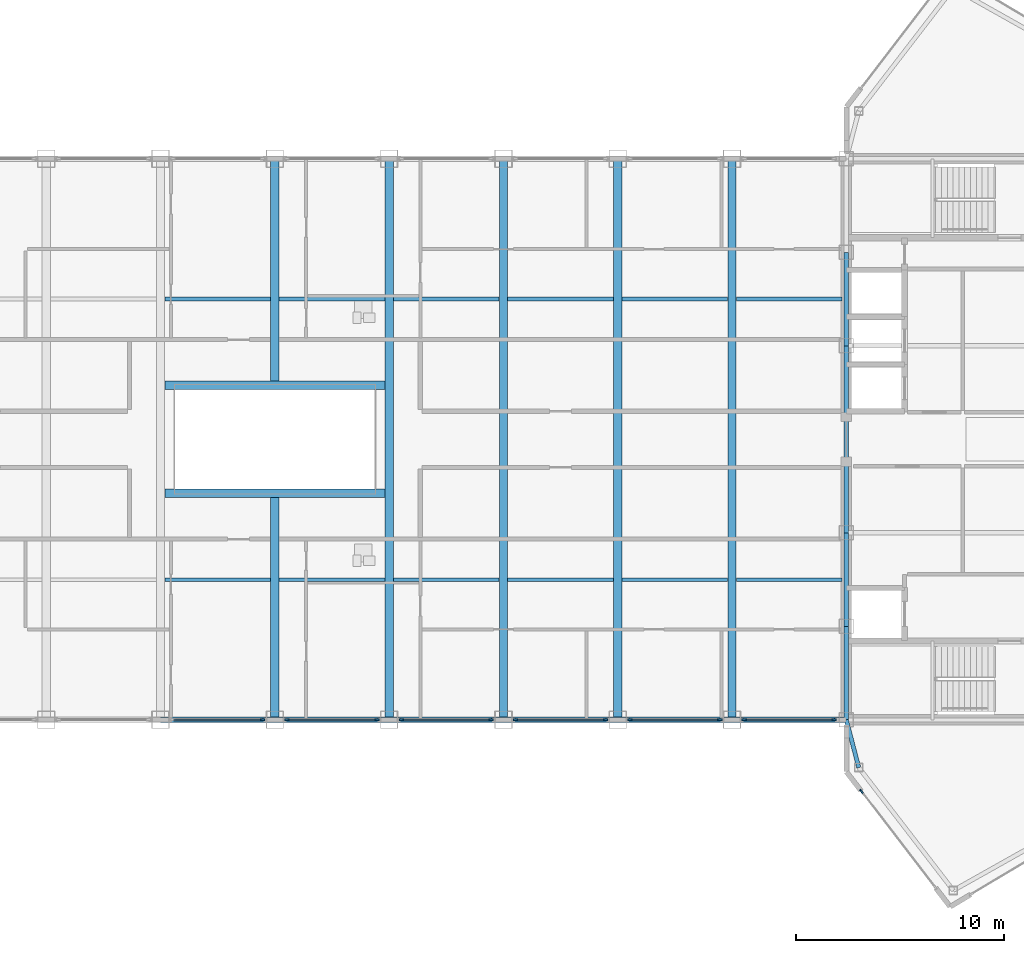
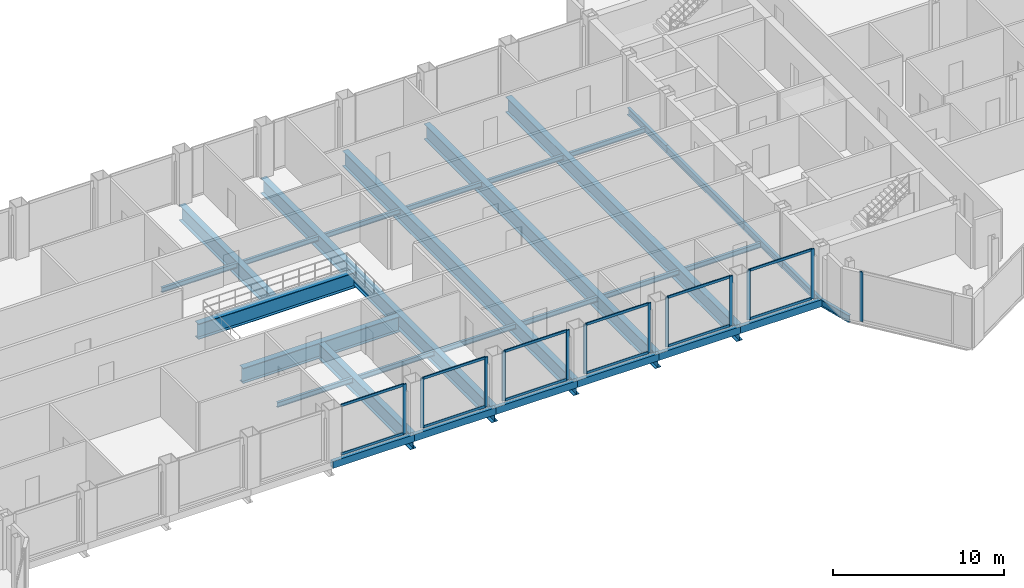
# One storey, part 13 of 29: 31 beams, 24 members, 7 elements without a shape of their own.
"""IFC4 building model written with IfcOpenShell, lengths in metres."""

from ifc_helpers import new_model, si_unit, direction, frame, origin, origin_2d, place, context, subcontext, project, spatial, rectangle, hollow_rectangle, i_section, extrude, source, transform, mapped, material, layer, layer_set, material_profile, profile_set, type_object, type_shapes, element, aggregate, save


model = new_model("IFC4")

# Units and contexts
model_context = context("Model", 3, precision=1e-05, world=origin(), true_north=direction((0.0, 1.0)))
body_context = subcontext(model_context, "Body", "Model", "MODEL_VIEW")
ifc_project = project(units=[si_unit("LENGTHUNIT", "METRE"), si_unit("AREAUNIT", "SQUARE_METRE"), si_unit("VOLUMEUNIT", "CUBIC_METRE"), si_unit("PLANEANGLEUNIT", "RADIAN"), si_unit("MASSUNIT", "GRAM", prefix="KILO")], contexts=[model_context])

# Site, building, storey
site_placement = place(None, origin())
site = spatial("IfcSite", under=ifc_project, at=site_placement, CompositionType="ELEMENT")
building_placement = place(site_placement, origin())
building = spatial("IfcBuilding", under=site, at=building_placement, Name="Seokmaru Belvedere", CompositionType="ELEMENT")
storey_placement = place(building_placement, frame((0.0, 0.0, 250.64990234375)))
storey = spatial("IfcBuildingStorey", under=building, at=storey_placement, Name="L66", CompositionType="ELEMENT", Elevation=250.64990234375)

# Beams
ifc_material_1 = material(Name="Steel SM355 (355 MPa)", Category="steel")
ifc_material_profile_1 = material_profile(ifc_material_1, i_section(OverallWidth=0.199951171875, OverallDepth=0.5, WebThickness=0.010009765625, FlangeThickness=0.01611328125, at=origin_2d()), Name="H-500x200x10x16")
ifc_profile_set_1 = profile_set([ifc_material_profile_1], Name="Steel SM355 (355 MPa)")
beam_type_1 = type_object("IfcBeamType", Name="Perimeter Spandrel Beam H-500", PredefinedType="SPANDREL", material=ifc_profile_set_1)
shared_shape_1 = source(origin(), body_context, "Body", "SweptSolid", [
    extrude(i_section(OverallWidth=0.199951171875, OverallDepth=0.5, WebThickness=0.010009765625, FlangeThickness=0.01611328125, at=origin_2d()), origin(), (0.0, 0.0, 1.0), 4.5),
])
for number, where, z_axis, x_axis, name in (
    (1, (27.5, -13.5, -0.469970703125), (0.0, 1.0, 0.0), (-1.0, 0.0, 0.0), "L66 E Portal Spine Spandrel 1"),
    (2, (27.5, -9.0, -0.469970703125), (0.0, 1.0, 0.0), (-1.0, 0.0, 0.0), "L66 E Portal Spine Spandrel 2"),
    (3, (27.5, 4.5, -0.469970703125), (0.0, 1.0, 0.0), (-1.0, 0.0, 0.0), "L66 E Portal Spine Spandrel 4"),
):
    element("IfcBeam", number, at=place(storey_placement, frame(where, z_axis=z_axis, x_axis=x_axis)), inside=storey, type_object=beam_type_1, Name=name, PredefinedType="SPANDREL", context=body_context, shape_type="MappedRepresentation", body=[
        mapped(shared_shape_1, transform((0.0, 0.0, 0.0), scale=1.0)),
    ])
shared_shape_2 = source(origin(), body_context, "Body", "SweptSolid", [
    extrude(i_section(OverallWidth=0.199951171875, OverallDepth=0.5, WebThickness=0.010009765625, FlangeThickness=0.01611328125, at=origin_2d()), origin(), (0.0, 0.0, 1.0), 9.0),
])
beam_1_placement = place(storey_placement, frame((27.5, -4.5, -0.469970703125), z_axis=(0.0, 1.0, 0.0), x_axis=(-1.0, 0.0, 0.0)))
element("IfcBeam", 4, at=beam_1_placement, inside=storey, type_object=beam_type_1, Name="L66 E Portal Spine Spandrel 3", PredefinedType="SPANDREL", context=body_context, shape_type="MappedRepresentation", body=[
    mapped(shared_shape_2, transform((0.0, 0.0, 0.0), scale=1.0)),
])
shared_shape_3 = source(origin(), body_context, "Body", "SweptSolid", [
    extrude(i_section(OverallWidth=0.199951171875, OverallDepth=0.5, WebThickness=0.010009765625, FlangeThickness=0.01611328125, at=origin_2d()), origin(), (0.0, 0.0, 1.0), 2.373046875),
])
type_shapes(beam_type_1, [shared_shape_1, shared_shape_2, shared_shape_3])
beam_2_placement = place(storey_placement, frame((28.10009765625, -15.7958984375, -0.469970703125), z_axis=(-0.252882558842, 0.967496982648, 0.0), x_axis=(-0.967496982648, -0.252882558842, 0.0)))
element("IfcBeam", 5, at=beam_2_placement, inside=storey, type_object=beam_type_1, Name="L66 E Shoulder Spine Spandrel S", PredefinedType="SPANDREL", context=body_context, shape_type="MappedRepresentation", body=[
    mapped(shared_shape_3, transform((0.0, 0.0, 0.0), scale=1.0)),
])
ifc_material_profile_2 = material_profile(ifc_material_1, i_section(OverallWidth=0.39990234375, OverallDepth=1.10009765625, WebThickness=0.02001953125, FlangeThickness=0.033935546875, at=origin_2d()), Name="BH-1100x400x20x34")
ifc_profile_set_2 = profile_set([ifc_material_profile_2], Name="Steel SM355 (355 MPa)")
beam_type_2 = type_object("IfcBeamType", Name="Sky-Gate Transverse Girder BH-1100", PredefinedType="BEAM", material=ifc_profile_set_2)
shared_shape_4 = source(origin(), body_context, "Body", "SweptSolid", [
    extrude(i_section(OverallWidth=0.39990234375, OverallDepth=1.10009765625, WebThickness=0.02001953125, FlangeThickness=0.033935546875, at=origin_2d()), origin(), (0.0, 0.0, 1.0), 27.0),
])
for number, where, z_axis, x_axis, name in (
    (6, (5.5, -13.5, -0.77001953125), (0.0, 1.0, 0.0), (-1.0, 0.0, 0.0), "L66 Sky-Gate Transverse Girder 06"),
    (7, (11.0, -13.5, -0.77001953125), (0.0, 1.0, 0.0), (-1.0, 0.0, 0.0), "L66 Sky-Gate Transverse Girder 07"),
    (8, (16.5, -13.5, -0.77001953125), (0.0, 1.0, 0.0), (-1.0, 0.0, 0.0), "L66 Sky-Gate Transverse Girder 08"),
    (9, (22.0, -13.5, -0.77001953125), (0.0, 1.0, 0.0), (-1.0, 0.0, 0.0), "L66 Sky-Gate Transverse Girder 09"),
):
    element("IfcBeam", number, at=place(storey_placement, frame(where, z_axis=z_axis, x_axis=x_axis)), inside=storey, type_object=beam_type_2, Name=name, PredefinedType="BEAM", context=body_context, shape_type="MappedRepresentation", body=[
        mapped(shared_shape_4, transform((0.0, 0.0, 0.0), scale=1.0)),
    ])
ifc_material_profile_3 = material_profile(ifc_material_1, i_section(OverallWidth=0.175048828125, OverallDepth=0.35009765625, WebThickness=0.007080078125, FlangeThickness=0.010986328125, at=origin_2d()), Name="H-350x175x7x11")
ifc_profile_set_3 = profile_set([ifc_material_profile_3], Name="Steel SM355 (355 MPa)")
beam_type_3 = type_object("IfcBeamType", Name="Secondary Floor Joist H-300", PredefinedType="JOIST", material=ifc_profile_set_3)
shared_shape_5 = source(origin(), body_context, "Body", "SweptSolid", [
    extrude(i_section(OverallWidth=0.175048828125, OverallDepth=0.35009765625, WebThickness=0.007080078125, FlangeThickness=0.010986328125, at=origin_2d()), origin(), (0.0, 0.0, 1.0), 5.08984375),
])
type_shapes(beam_type_3, [shared_shape_5])
for number, where, z_axis, x_axis, name in (
    (10, (-5.294921875, -6.75, -0.39501953125), (1.0, 0.0, 0.0), (0.0, 1.0, 0.0), "L66 Sky-Gate Secondary Joist S-05"),
    (11, (0.205078125, -6.75, -0.39501953125), (1.0, 0.0, 0.0), (0.0, 1.0, 0.0), "L66 Sky-Gate Secondary Joist S-06"),
    (12, (5.705078125, -6.75, -0.39501953125), (1.0, 0.0, 0.0), (0.0, 1.0, 0.0), "L66 Sky-Gate Secondary Joist S-07"),
    (13, (11.205078125, -6.75, -0.39501953125), (1.0, 0.0, 0.0), (0.0, 1.0, 0.0), "L66 Sky-Gate Secondary Joist S-08"),
    (14, (16.705078125, -6.75, -0.39501953125), (1.0, 0.0, 0.0), (0.0, 1.0, 0.0), "L66 Sky-Gate Secondary Joist S-09"),
    (15, (22.205078125, -6.75, -0.39501953125), (1.0, 0.0, 0.0), (0.0, 1.0, 0.0), "L66 Sky-Gate Secondary Joist S-10"),
    (16, (-5.294921875, 6.75, -0.39501953125), (1.0, 0.0, 0.0), (0.0, 1.0, 0.0), "L66 Sky-Gate Secondary Joist N-05"),
    (17, (0.205078125, 6.75, -0.39501953125), (1.0, 0.0, 0.0), (0.0, 1.0, 0.0), "L66 Sky-Gate Secondary Joist N-06"),
    (18, (5.705078125, 6.75, -0.39501953125), (1.0, 0.0, 0.0), (0.0, 1.0, 0.0), "L66 Sky-Gate Secondary Joist N-07"),
    (19, (11.205078125, 6.75, -0.39501953125), (1.0, 0.0, 0.0), (0.0, 1.0, 0.0), "L66 Sky-Gate Secondary Joist N-08"),
    (20, (16.705078125, 6.75, -0.39501953125), (1.0, 0.0, 0.0), (0.0, 1.0, 0.0), "L66 Sky-Gate Secondary Joist N-09"),
    (21, (22.205078125, 6.75, -0.39501953125), (1.0, 0.0, 0.0), (0.0, 1.0, 0.0), "L66 Sky-Gate Secondary Joist N-10"),
):
    element("IfcBeam", number, at=place(storey_placement, frame(where, z_axis=z_axis, x_axis=x_axis)), inside=storey, type_object=beam_type_3, Name=name, PredefinedType="JOIST", context=body_context, shape_type="MappedRepresentation", body=[
        mapped(shared_shape_5, transform((0.0, 0.0, 0.0), scale=1.0)),
    ])
shared_shape_6 = source(origin(), body_context, "Body", "SweptSolid", [
    extrude(i_section(OverallWidth=0.39990234375, OverallDepth=1.10009765625, WebThickness=0.02001953125, FlangeThickness=0.033935546875, at=origin_2d()), origin(), (0.0, 0.0, 1.0), 10.58984375),
])
for number, where, z_axis, x_axis, name in (
    (22, (-5.294921875, -2.60009765625, -0.77001953125), (1.0, 0.0, 0.0), (0.0, 1.0, 0.0), "L66 Sky-Gate Atrium Header Girder S"),
    (23, (-5.294921875, 2.60009765625, -0.77001953125), (1.0, 0.0, 0.0), (0.0, 1.0, 0.0), "L66 Sky-Gate Atrium Header Girder N"),
):
    element("IfcBeam", number, at=place(storey_placement, frame(where, z_axis=z_axis, x_axis=x_axis)), inside=storey, type_object=beam_type_2, Name=name, PredefinedType="BEAM", context=body_context, shape_type="MappedRepresentation", body=[
        mapped(shared_shape_6, transform((0.0, 0.0, 0.0), scale=1.0)),
    ])
ifc_material_profile_4 = material_profile(ifc_material_1, hollow_rectangle(XDim=0.25, YDim=0.5, WallThickness=0.013916015625, at=origin_2d()), Name="RHS-500x250x14")
ifc_profile_set_4 = profile_set([ifc_material_profile_4], Name="Steel SM355 (355 MPa)")
beam_type_4 = type_object("IfcBeamType", Name="Bridge Edge Spandrel RHS-500", PredefinedType="SPANDREL", material=ifc_profile_set_4)
shared_shape_7 = source(origin(), body_context, "Body", "SweptSolid", [
    extrude(hollow_rectangle(XDim=0.25, YDim=0.5, WallThickness=0.013916015625, at=origin_2d()), origin(), (0.0, 0.0, 1.0), 5.5),
])
type_shapes(beam_type_4, [shared_shape_7])
for number, where, z_axis, x_axis, name in (
    (24, (-5.5, -13.5, -0.469970703125), (1.0, 0.0, 0.0), (0.0, 1.0, 0.0), "L66 Sky-Gate Bridge Edge Girder S-05"),
    (25, (0.0, -13.5, -0.469970703125), (1.0, 0.0, 0.0), (0.0, 1.0, 0.0), "L66 Sky-Gate Bridge Edge Girder S-06"),
    (26, (5.5, -13.5, -0.469970703125), (1.0, 0.0, 0.0), (0.0, 1.0, 0.0), "L66 Sky-Gate Bridge Edge Girder S-07"),
    (27, (11.0, -13.5, -0.469970703125), (1.0, 0.0, 0.0), (0.0, 1.0, 0.0), "L66 Sky-Gate Bridge Edge Girder S-08"),
    (28, (16.5, -13.5, -0.469970703125), (1.0, 0.0, 0.0), (0.0, 1.0, 0.0), "L66 Sky-Gate Bridge Edge Girder S-09"),
    (29, (22.0, -13.5, -0.469970703125), (1.0, 0.0, 0.0), (0.0, 1.0, 0.0), "L66 Sky-Gate Bridge Edge Girder S-10"),
):
    element("IfcBeam", number, at=place(storey_placement, frame(where, z_axis=z_axis, x_axis=x_axis)), inside=storey, type_object=beam_type_4, Name=name, PredefinedType="SPANDREL", context=body_context, shape_type="MappedRepresentation", body=[
        mapped(shared_shape_7, transform((0.0, 0.0, 0.0), scale=1.0)),
    ])
shared_shape_8 = source(origin(), body_context, "Body", "SweptSolid", [
    extrude(i_section(OverallWidth=0.39990234375, OverallDepth=1.10009765625, WebThickness=0.02001953125, FlangeThickness=0.033935546875, at=origin_2d()), origin(), (0.0, 0.0, 1.0), 10.89990234375),
])
type_shapes(beam_type_2, [shared_shape_4, shared_shape_6, shared_shape_8])
for number, where, z_axis, x_axis, name in (
    (30, (0.0, -13.5, -0.77001953125), (0.0, 1.0, 0.0), (-1.0, 0.0, 0.0), "L66 Sky-Gate Trimmed Girder 5S"),
    (31, (0.0, 2.60009765625, -0.77001953125), (0.0, 1.0, 0.0), (-1.0, 0.0, 0.0), "L66 Sky-Gate Trimmed Girder 5N"),
):
    element("IfcBeam", number, at=place(storey_placement, frame(where, z_axis=z_axis, x_axis=x_axis)), inside=storey, type_object=beam_type_2, Name=name, PredefinedType="BEAM", context=body_context, shape_type="MappedRepresentation", body=[
        mapped(shared_shape_8, transform((0.0, 0.0, 0.0), scale=1.0)),
    ])

# Curtain wall, members
ifc_material_2 = material(Name="Bronze Triple Insulating Glass", Category="glass")
ifc_layer = layer(ifc_material_2, 0.219970703125)
ifc_layer_set = layer_set([ifc_layer], Name="Bronze Triple Insulating Glass")
curtain_wall_type = type_object("IfcCurtainWallType", Name="Sky-Gate Bridge Panorama Curtain Wall System CW-6", PredefinedType="NOTDEFINED", material=ifc_layer_set)
curtain_wall_1_placement = place(storey_placement, origin())
curtain_wall_1 = element("IfcCurtainWall", 32, at=curtain_wall_1_placement, inside=storey, type_object=curtain_wall_type, Name="L66 Curtain Wall BR_S05", PredefinedType="NOTDEFINED")
ifc_material_3 = material(Name="Anodised Bronze Aluminium", Category="aluminium")
ifc_material_profile_5 = material_profile(ifc_material_3, rectangle(XDim=0.074951171875, YDim=0.179931640625, at=origin_2d()), Name="CW-T-75x180")
ifc_profile_set_5 = profile_set([ifc_material_profile_5], Name="Anodised Bronze Aluminium")
member_type_1 = type_object("IfcMemberType", Name="Bronze Unitised Transom 75x180", PredefinedType="USERDEFINED", material=ifc_profile_set_5)
shared_shape_9 = source(origin(), body_context, "Body", "SweptSolid", [
    extrude(rectangle(XDim=0.074951171875, YDim=0.179931640625, at=origin_2d()), origin(), (0.0, 0.0, 1.0), 4.240234375),
])
type_shapes(member_type_1, [shared_shape_9])
member_1_placement = place(storey_placement, frame((-4.8701171875, -13.5, 0.03759765625), z_axis=(1.0, 0.0, 0.0), x_axis=(0.0, 1.0, 0.0)))
member_1 = element("IfcMember", 33, at=member_1_placement, type_object=member_type_1, Name="CW:L66:BR_S05 Continuous Transom 1", ObjectType="TRANSOM", PredefinedType="USERDEFINED", context=body_context, shape_type="MappedRepresentation", body=[
    mapped(shared_shape_9, transform((0.0, 0.0, 0.0), scale=1.0)),
])
member_2_placement = place(storey_placement, frame((-4.8701171875, -13.5, 3.49267578125), z_axis=(1.0, 0.0, 0.0), x_axis=(0.0, 1.0, 0.0)))
member_2 = element("IfcMember", 34, at=member_2_placement, type_object=member_type_1, Name="CW:L66:BR_S05 Continuous Transom 2", ObjectType="TRANSOM", PredefinedType="USERDEFINED", context=body_context, shape_type="MappedRepresentation", body=[
    mapped(shared_shape_9, transform((0.0, 0.0, 0.0), scale=1.0)),
])

curtain_wall_2_placement = place(storey_placement, origin())
curtain_wall_2 = element("IfcCurtainWall", 35, at=curtain_wall_2_placement, inside=storey, type_object=curtain_wall_type, Name="L66 Curtain Wall BR_S06", PredefinedType="NOTDEFINED")
member_3_placement = place(storey_placement, frame((0.6298828125, -13.5, 0.03759765625), z_axis=(1.0, 0.0, 0.0), x_axis=(0.0, 1.0, 0.0)))
member_3 = element("IfcMember", 36, at=member_3_placement, type_object=member_type_1, Name="CW:L66:BR_S06 Continuous Transom 1", ObjectType="TRANSOM", PredefinedType="USERDEFINED", context=body_context, shape_type="MappedRepresentation", body=[
    mapped(shared_shape_9, transform((0.0, 0.0, 0.0), scale=1.0)),
])
member_4_placement = place(storey_placement, frame((0.6298828125, -13.5, 3.49267578125), z_axis=(1.0, 0.0, 0.0), x_axis=(0.0, 1.0, 0.0)))
member_4 = element("IfcMember", 37, at=member_4_placement, type_object=member_type_1, Name="CW:L66:BR_S06 Continuous Transom 2", ObjectType="TRANSOM", PredefinedType="USERDEFINED", context=body_context, shape_type="MappedRepresentation", body=[
    mapped(shared_shape_9, transform((0.0, 0.0, 0.0), scale=1.0)),
])

curtain_wall_3_placement = place(storey_placement, origin())
curtain_wall_3 = element("IfcCurtainWall", 38, at=curtain_wall_3_placement, inside=storey, type_object=curtain_wall_type, Name="L66 Curtain Wall BR_S07", PredefinedType="NOTDEFINED")
member_5_placement = place(storey_placement, frame((6.1298828125, -13.5, 0.03759765625), z_axis=(1.0, 0.0, 0.0), x_axis=(0.0, 1.0, 0.0)))
member_5 = element("IfcMember", 39, at=member_5_placement, type_object=member_type_1, Name="CW:L66:BR_S07 Continuous Transom 1", ObjectType="TRANSOM", PredefinedType="USERDEFINED", context=body_context, shape_type="MappedRepresentation", body=[
    mapped(shared_shape_9, transform((0.0, 0.0, 0.0), scale=1.0)),
])
member_6_placement = place(storey_placement, frame((6.1298828125, -13.5, 3.49267578125), z_axis=(1.0, 0.0, 0.0), x_axis=(0.0, 1.0, 0.0)))
member_6 = element("IfcMember", 40, at=member_6_placement, type_object=member_type_1, Name="CW:L66:BR_S07 Continuous Transom 2", ObjectType="TRANSOM", PredefinedType="USERDEFINED", context=body_context, shape_type="MappedRepresentation", body=[
    mapped(shared_shape_9, transform((0.0, 0.0, 0.0), scale=1.0)),
])

curtain_wall_4_placement = place(storey_placement, origin())
curtain_wall_4 = element("IfcCurtainWall", 41, at=curtain_wall_4_placement, inside=storey, type_object=curtain_wall_type, Name="L66 Curtain Wall BR_S08", PredefinedType="NOTDEFINED")
member_7_placement = place(storey_placement, frame((11.6298828125, -13.5, 0.03759765625), z_axis=(1.0, 0.0, 0.0), x_axis=(0.0, 1.0, 0.0)))
member_7 = element("IfcMember", 42, at=member_7_placement, type_object=member_type_1, Name="CW:L66:BR_S08 Continuous Transom 1", ObjectType="TRANSOM", PredefinedType="USERDEFINED", context=body_context, shape_type="MappedRepresentation", body=[
    mapped(shared_shape_9, transform((0.0, 0.0, 0.0), scale=1.0)),
])
member_8_placement = place(storey_placement, frame((11.6298828125, -13.5, 3.49267578125), z_axis=(1.0, 0.0, 0.0), x_axis=(0.0, 1.0, 0.0)))
member_8 = element("IfcMember", 43, at=member_8_placement, type_object=member_type_1, Name="CW:L66:BR_S08 Continuous Transom 2", ObjectType="TRANSOM", PredefinedType="USERDEFINED", context=body_context, shape_type="MappedRepresentation", body=[
    mapped(shared_shape_9, transform((0.0, 0.0, 0.0), scale=1.0)),
])

curtain_wall_5_placement = place(storey_placement, origin())
curtain_wall_5 = element("IfcCurtainWall", 44, at=curtain_wall_5_placement, inside=storey, type_object=curtain_wall_type, Name="L66 Curtain Wall BR_S09", PredefinedType="NOTDEFINED")
member_9_placement = place(storey_placement, frame((17.1298828125, -13.5, 0.03759765625), z_axis=(1.0, 0.0, 0.0), x_axis=(0.0, 1.0, 0.0)))
member_9 = element("IfcMember", 45, at=member_9_placement, type_object=member_type_1, Name="CW:L66:BR_S09 Continuous Transom 1", ObjectType="TRANSOM", PredefinedType="USERDEFINED", context=body_context, shape_type="MappedRepresentation", body=[
    mapped(shared_shape_9, transform((0.0, 0.0, 0.0), scale=1.0)),
])
member_10_placement = place(storey_placement, frame((17.1298828125, -13.5, 3.49267578125), z_axis=(1.0, 0.0, 0.0), x_axis=(0.0, 1.0, 0.0)))
member_10 = element("IfcMember", 46, at=member_10_placement, type_object=member_type_1, Name="CW:L66:BR_S09 Continuous Transom 2", ObjectType="TRANSOM", PredefinedType="USERDEFINED", context=body_context, shape_type="MappedRepresentation", body=[
    mapped(shared_shape_9, transform((0.0, 0.0, 0.0), scale=1.0)),
])

curtain_wall_6_placement = place(storey_placement, origin())
curtain_wall_6 = element("IfcCurtainWall", 47, at=curtain_wall_6_placement, inside=storey, type_object=curtain_wall_type, Name="L66 Curtain Wall BR_S10", PredefinedType="NOTDEFINED")
member_11_placement = place(storey_placement, frame((22.6298828125, -13.5, 0.03759765625), z_axis=(1.0, 0.0, 0.0), x_axis=(0.0, 1.0, 0.0)))
member_11 = element("IfcMember", 48, at=member_11_placement, type_object=member_type_1, Name="CW:L66:BR_S10 Continuous Transom 1", ObjectType="TRANSOM", PredefinedType="USERDEFINED", context=body_context, shape_type="MappedRepresentation", body=[
    mapped(shared_shape_9, transform((0.0, 0.0, 0.0), scale=1.0)),
])
member_12_placement = place(storey_placement, frame((22.6298828125, -13.5, 3.49267578125), z_axis=(1.0, 0.0, 0.0), x_axis=(0.0, 1.0, 0.0)))
member_12 = element("IfcMember", 49, at=member_12_placement, type_object=member_type_1, Name="CW:L66:BR_S10 Continuous Transom 2", ObjectType="TRANSOM", PredefinedType="USERDEFINED", context=body_context, shape_type="MappedRepresentation", body=[
    mapped(shared_shape_9, transform((0.0, 0.0, 0.0), scale=1.0)),
])

# Curtain wall, member
curtain_wall_7_placement = place(storey_placement, origin())
curtain_wall_7 = element("IfcCurtainWall", 50, at=curtain_wall_7_placement, inside=storey, type_object=curtain_wall_type, Name="L66 Curtain Wall EF6", PredefinedType="NOTDEFINED")
ifc_material_profile_6 = material_profile(ifc_material_3, rectangle(XDim=0.080078125, YDim=0.219970703125, at=origin_2d()), Name="CW-M-80x220")
ifc_profile_set_6 = profile_set([ifc_material_profile_6], Name="Anodised Bronze Aluminium")
member_type_2 = type_object("IfcMemberType", Name="Bronze Unitised Mullion 80x220", PredefinedType="MULLION", material=ifc_profile_set_6)
shared_shape_10 = source(origin(), body_context, "Body", "SweptSolid", [
    extrude(rectangle(XDim=0.080078125, YDim=0.219970703125, at=origin_2d()), origin(), (0.0, 0.0, 1.0), 3.530029296875),
])
type_shapes(member_type_2, [shared_shape_10])
member_13_placement = place(storey_placement, frame((28.2255859375, -16.943115234375, 0.0), z_axis=(0.0, 0.0, 1.0), x_axis=(0.792631353244, 0.609701187349, 0.0)))
member_13 = element("IfcMember", 51, at=member_13_placement, type_object=member_type_2, Name="CW:L66:EF6 Mullion 1", PredefinedType="MULLION", context=body_context, shape_type="MappedRepresentation", body=[
    mapped(shared_shape_10, transform((0.0, 0.0, 0.0), scale=1.0)),
])
aggregate(curtain_wall_7, [member_13])

# Member
member_14_placement = place(storey_placement, frame((-0.590087890625, -13.5, 0.0), z_axis=(0.0, 0.0, 1.0), x_axis=(0.0, 1.0, 0.0)))
member_14 = element("IfcMember", 52, at=member_14_placement, type_object=member_type_2, Name="CW:L66:BR_S05 Mullion 2", PredefinedType="MULLION", context=body_context, shape_type="MappedRepresentation", body=[
    mapped(shared_shape_10, transform((0.0, 0.0, 0.0), scale=1.0)),
])

aggregate(curtain_wall_1, [member_14, member_1, member_2])

member_15_placement = place(storey_placement, frame((0.590087890625, -13.5, 0.0), z_axis=(0.0, 0.0, 1.0), x_axis=(0.0, 1.0, 0.0)))
member_15 = element("IfcMember", 53, at=member_15_placement, type_object=member_type_2, Name="CW:L66:BR_S06 Mullion 1", PredefinedType="MULLION", context=body_context, shape_type="MappedRepresentation", body=[
    mapped(shared_shape_10, transform((0.0, 0.0, 0.0), scale=1.0)),
])

member_16_placement = place(storey_placement, frame((4.909912109375, -13.5, 0.0), z_axis=(0.0, 0.0, 1.0), x_axis=(0.0, 1.0, 0.0)))
member_16 = element("IfcMember", 54, at=member_16_placement, type_object=member_type_2, Name="CW:L66:BR_S06 Mullion 2", PredefinedType="MULLION", context=body_context, shape_type="MappedRepresentation", body=[
    mapped(shared_shape_10, transform((0.0, 0.0, 0.0), scale=1.0)),
])

aggregate(curtain_wall_2, [member_15, member_16, member_3, member_4])

member_17_placement = place(storey_placement, frame((6.090087890625, -13.5, 0.0), z_axis=(0.0, 0.0, 1.0), x_axis=(0.0, 1.0, 0.0)))
member_17 = element("IfcMember", 55, at=member_17_placement, type_object=member_type_2, Name="CW:L66:BR_S07 Mullion 1", PredefinedType="MULLION", context=body_context, shape_type="MappedRepresentation", body=[
    mapped(shared_shape_10, transform((0.0, 0.0, 0.0), scale=1.0)),
])

member_18_placement = place(storey_placement, frame((10.409912109375, -13.5, 0.0), z_axis=(0.0, 0.0, 1.0), x_axis=(0.0, 1.0, 0.0)))
member_18 = element("IfcMember", 56, at=member_18_placement, type_object=member_type_2, Name="CW:L66:BR_S07 Mullion 2", PredefinedType="MULLION", context=body_context, shape_type="MappedRepresentation", body=[
    mapped(shared_shape_10, transform((0.0, 0.0, 0.0), scale=1.0)),
])

aggregate(curtain_wall_3, [member_17, member_18, member_5, member_6])

member_19_placement = place(storey_placement, frame((11.590087890625, -13.5, 0.0), z_axis=(0.0, 0.0, 1.0), x_axis=(0.0, 1.0, 0.0)))
member_19 = element("IfcMember", 57, at=member_19_placement, type_object=member_type_2, Name="CW:L66:BR_S08 Mullion 1", PredefinedType="MULLION", context=body_context, shape_type="MappedRepresentation", body=[
    mapped(shared_shape_10, transform((0.0, 0.0, 0.0), scale=1.0)),
])

member_20_placement = place(storey_placement, frame((15.909912109375, -13.5, 0.0), z_axis=(0.0, 0.0, 1.0), x_axis=(0.0, 1.0, 0.0)))
member_20 = element("IfcMember", 58, at=member_20_placement, type_object=member_type_2, Name="CW:L66:BR_S08 Mullion 2", PredefinedType="MULLION", context=body_context, shape_type="MappedRepresentation", body=[
    mapped(shared_shape_10, transform((0.0, 0.0, 0.0), scale=1.0)),
])

aggregate(curtain_wall_4, [member_19, member_20, member_7, member_8])

member_21_placement = place(storey_placement, frame((17.090087890625, -13.5, 0.0), z_axis=(0.0, 0.0, 1.0), x_axis=(0.0, 1.0, 0.0)))
member_21 = element("IfcMember", 59, at=member_21_placement, type_object=member_type_2, Name="CW:L66:BR_S09 Mullion 1", PredefinedType="MULLION", context=body_context, shape_type="MappedRepresentation", body=[
    mapped(shared_shape_10, transform((0.0, 0.0, 0.0), scale=1.0)),
])

member_22_placement = place(storey_placement, frame((21.409912109375, -13.5, 0.0), z_axis=(0.0, 0.0, 1.0), x_axis=(0.0, 1.0, 0.0)))
member_22 = element("IfcMember", 60, at=member_22_placement, type_object=member_type_2, Name="CW:L66:BR_S09 Mullion 2", PredefinedType="MULLION", context=body_context, shape_type="MappedRepresentation", body=[
    mapped(shared_shape_10, transform((0.0, 0.0, 0.0), scale=1.0)),
])

aggregate(curtain_wall_5, [member_21, member_22, member_9, member_10])

member_23_placement = place(storey_placement, frame((22.590087890625, -13.5, 0.0), z_axis=(0.0, 0.0, 1.0), x_axis=(0.0, 1.0, 0.0)))
member_23 = element("IfcMember", 61, at=member_23_placement, type_object=member_type_2, Name="CW:L66:BR_S10 Mullion 1", PredefinedType="MULLION", context=body_context, shape_type="MappedRepresentation", body=[
    mapped(shared_shape_10, transform((0.0, 0.0, 0.0), scale=1.0)),
])

member_24_placement = place(storey_placement, frame((26.909912109375, -13.5, 0.0), z_axis=(0.0, 0.0, 1.0), x_axis=(0.0, 1.0, 0.0)))
member_24 = element("IfcMember", 62, at=member_24_placement, type_object=member_type_2, Name="CW:L66:BR_S10 Mullion 2", PredefinedType="MULLION", context=body_context, shape_type="MappedRepresentation", body=[
    mapped(shared_shape_10, transform((0.0, 0.0, 0.0), scale=1.0)),
])

aggregate(curtain_wall_6, [member_23, member_24, member_11, member_12])

save(model, "model.ifc")
